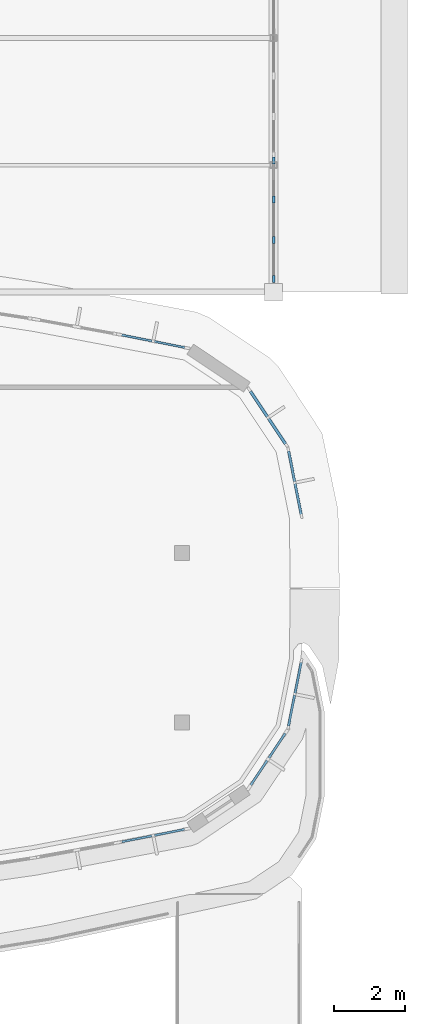
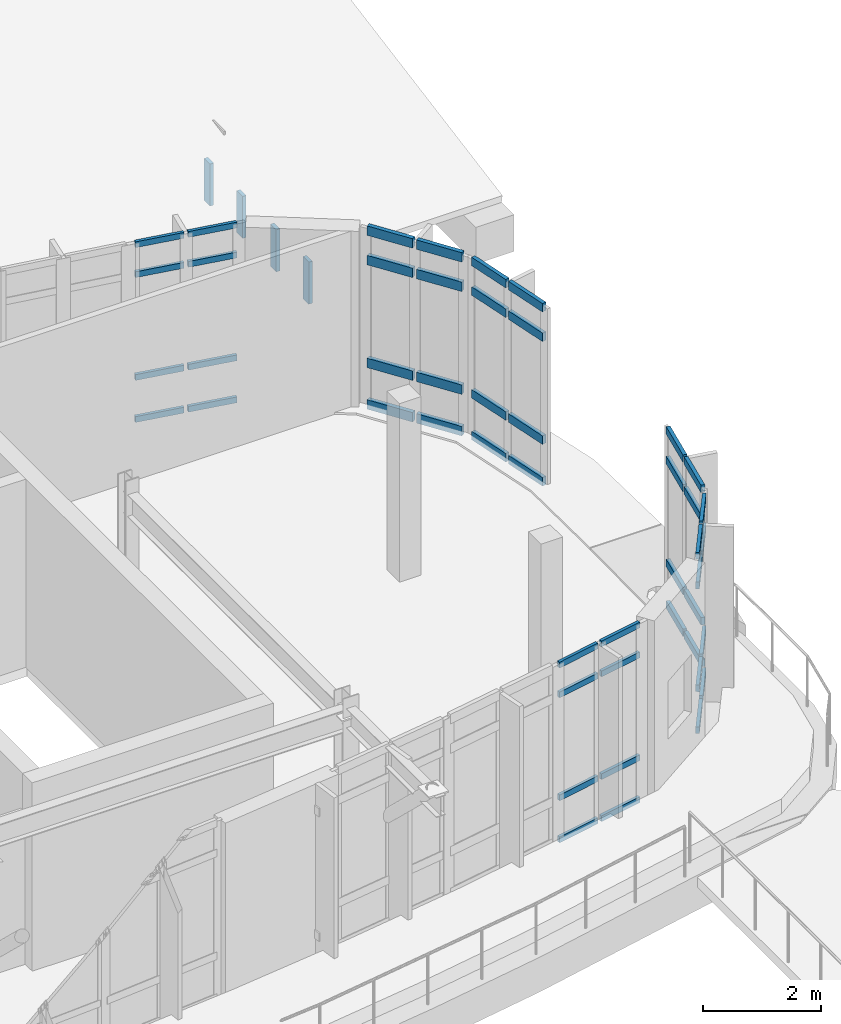
# One storey, part 56 of 105: 52 members, 7 elements without a shape of their own.
"""IFC4 building model written with IfcOpenShell, lengths in metres."""

from ifc_helpers import new_model, si_unit, direction, frame, origin, origin_2d, place, context, subcontext, project, spatial, rectangle, extrude, material, material_profile, profile_set, type_object, element, aggregate, save


model = new_model("IFC4")

# Units and contexts
model_context = context("Model", 3, precision=1e-05, world=origin(), true_north=direction((0.0, 1.0)))
body_context = subcontext(model_context, "Body", "Model", "MODEL_VIEW")
ifc_project = project(units=[si_unit("LENGTHUNIT", "METRE"), si_unit("AREAUNIT", "SQUARE_METRE"), si_unit("VOLUMEUNIT", "CUBIC_METRE"), si_unit("PLANEANGLEUNIT", "RADIAN"), si_unit("MASSUNIT", "GRAM", prefix="KILO")], contexts=[model_context])

# Site, building, storey
site_placement = place(None, origin())
site = spatial("IfcSite", under=ifc_project, at=site_placement, CompositionType="ELEMENT")
building_placement = place(site_placement, origin())
building = spatial("IfcBuilding", under=site, at=building_placement, Name="Corveleigh Park Community Centre", CompositionType="ELEMENT")
storey_placement = place(building_placement, frame((0.0, 0.0, 8.699951171875)))
storey = spatial("IfcBuildingStorey", under=building, at=storey_placement, Name="L02", CompositionType="ELEMENT", Elevation=8.699951171875)

# Curtain wall, members
ifc_material = material(Name="Anodised aluminium 6063-T6", Category="aluminium")
curtain_wall_type = type_object("IfcCurtainWallType", Name="CW-SYS-V2-HALL", PredefinedType="NOTDEFINED", material=ifc_material)
curtain_wall_1_placement = place(storey_placement, origin())
curtain_wall_1 = element("IfcCurtainWall", 1, at=curtain_wall_1_placement, inside=storey, type_object=curtain_wall_type, Name="Sports Hall E Gable Clerestory 1", PredefinedType="NOTDEFINED")
ifc_material_profile_1 = material_profile(ifc_material, rectangle(XDim=0.070068359375, YDim=0.199951171875, at=origin_2d()), Name="ALU-M70x200", Category="aluminium")
ifc_profile_set_1 = profile_set([ifc_material_profile_1], Name="Anodised aluminium 6063-T6")
member_type_1 = type_object("IfcMemberType", Name="CWM-70x200", PredefinedType="MULLION", material=ifc_profile_set_1)
member_1_placement = place(storey_placement, frame((54.39990234375, 96.52490234375, 0.0), z_axis=(0.0, 0.0, 1.0), x_axis=(1.0, 0.0, 0.0)))
member_1 = element("IfcMember", 2, at=member_1_placement, type_object=member_type_1, Name="CW04 mullion 1", PredefinedType="MULLION", context=body_context, shape_type="SweptSolid", body=[
    extrude(rectangle(XDim=0.070068359375, YDim=0.199951171875, at=origin_2d()), origin(), (0.0, 0.0, 1.0), 0.87109375),
])
member_2_placement = place(storey_placement, frame((54.39990234375, 95.419921875, 0.0), z_axis=(0.0, 0.0, 1.0), x_axis=(1.0, 0.0, 0.0)))
member_2 = element("IfcMember", 3, at=member_2_placement, type_object=member_type_1, Name="CW04 mullion 2", PredefinedType="MULLION", context=body_context, shape_type="SweptSolid", body=[
    extrude(rectangle(XDim=0.070068359375, YDim=0.199951171875, at=origin_2d()), origin(), (0.0, 0.0, 1.0), 0.87109375),
])
member_3_placement = place(storey_placement, frame((54.39990234375, 94.280029296875, 0.0), z_axis=(0.0, 0.0, 1.0), x_axis=(1.0, 0.0, 0.0)))
member_3 = element("IfcMember", 4, at=member_3_placement, type_object=member_type_1, Name="CW04 mullion 3", PredefinedType="MULLION", context=body_context, shape_type="SweptSolid", body=[
    extrude(rectangle(XDim=0.070068359375, YDim=0.199951171875, at=origin_2d()), origin(), (0.0, 0.0, 1.0), 0.87109375),
])
member_4_placement = place(storey_placement, frame((54.39990234375, 93.175048828125, 0.0), z_axis=(0.0, 0.0, 1.0), x_axis=(1.0, 0.0, 0.0)))
member_4 = element("IfcMember", 5, at=member_4_placement, type_object=member_type_1, Name="CW04 mullion 4", PredefinedType="MULLION", context=body_context, shape_type="SweptSolid", body=[
    extrude(rectangle(XDim=0.070068359375, YDim=0.199951171875, at=origin_2d()), origin(), (0.0, 0.0, 1.0), 0.87109375),
])
aggregate(curtain_wall_1, [member_1, member_2, member_3, member_4])

curtain_wall_2_placement = place(storey_placement, origin())
curtain_wall_2 = element("IfcCurtainWall", 6, at=curtain_wall_2_placement, inside=storey, type_object=curtain_wall_type, Name="V2 L02 Curtain Wall 311", PredefinedType="NOTDEFINED")
ifc_material_profile_2 = material_profile(ifc_material, rectangle(XDim=0.06005859375, YDim=0.1201171875, at=origin_2d()), Name="ALU-T60x120", Category="aluminium")
ifc_profile_set_2 = profile_set([ifc_material_profile_2], Name="Anodised aluminium 6063-T6")
member_type_2 = type_object("IfcMemberType", Name="CWT-60x120", PredefinedType="USERDEFINED", material=ifc_profile_set_2)
member_5_placement = place(storey_placement, frame((51.87744140625, 77.5703125, 0.030029296875), z_axis=(-0.980840429065, -0.194812865877, 0.0), x_axis=(0.194812865877, -0.980840429065, 0.0)))
member_5 = element("IfcMember", 7, at=member_5_placement, type_object=member_type_2, Name="CW04 transom 1.1", ObjectType="TRANSOM", PredefinedType="USERDEFINED", context=body_context, shape_type="SweptSolid", body=[
    extrude(rectangle(XDim=0.06005859375, YDim=0.1201171875, at=origin_2d()), origin(), (0.0, 0.0, 1.0), 0.86474609375),
])
member_6_placement = place(storey_placement, frame((51.87744140625, 77.5703125, 0.900146484375), z_axis=(-0.980840429065, -0.194812865877, 0.0), x_axis=(0.194812865877, -0.980840429065, 0.0)))
member_6 = element("IfcMember", 8, at=member_6_placement, type_object=member_type_2, Name="CW04 transom 1.2", ObjectType="TRANSOM", PredefinedType="USERDEFINED", context=body_context, shape_type="SweptSolid", body=[
    extrude(rectangle(XDim=0.06005859375, YDim=0.1201171875, at=origin_2d()), origin(), (0.0, 0.0, 1.0), 0.86474609375),
])
member_7_placement = place(storey_placement, frame((51.87744140625, 77.5703125, 3.030029296875), z_axis=(-0.980840429065, -0.194812865877, 0.0), x_axis=(0.194812865877, -0.980840429065, 0.0)))
member_7 = element("IfcMember", 9, at=member_7_placement, type_object=member_type_2, Name="CW04 transom 1.3", ObjectType="TRANSOM", PredefinedType="USERDEFINED", context=body_context, shape_type="SweptSolid", body=[
    extrude(rectangle(XDim=0.06005859375, YDim=0.1201171875, at=origin_2d()), origin(), (0.0, 0.0, 1.0), 0.86474609375),
])
member_8_placement = place(storey_placement, frame((51.87744140625, 77.5703125, 3.650146484375), z_axis=(-0.980840429065, -0.194812865877, 0.0), x_axis=(0.194812865877, -0.980840429065, 0.0)))
member_8 = element("IfcMember", 10, at=member_8_placement, type_object=member_type_2, Name="CW04 transom 1.4", ObjectType="TRANSOM", PredefinedType="USERDEFINED", context=body_context, shape_type="SweptSolid", body=[
    extrude(rectangle(XDim=0.06005859375, YDim=0.1201171875, at=origin_2d()), origin(), (0.0, 0.0, 1.0), 0.86474609375),
])
member_9_placement = place(storey_placement, frame((50.95068359375, 77.38623046875, 0.030029296875), z_axis=(-0.980786445287, -0.195084465657, 0.0), x_axis=(0.195084465657, -0.980786445287, 0.0)))
member_9 = element("IfcMember", 11, at=member_9_placement, type_object=member_type_2, Name="CW04 transom 2.1", ObjectType="TRANSOM", PredefinedType="USERDEFINED", context=body_context, shape_type="SweptSolid", body=[
    extrude(rectangle(XDim=0.06005859375, YDim=0.1201171875, at=origin_2d()), origin(), (0.0, 0.0, 1.0), 0.86474609375),
])
member_10_placement = place(storey_placement, frame((50.95068359375, 77.38623046875, 0.900146484375), z_axis=(-0.980786445287, -0.195084465657, 0.0), x_axis=(0.195084465657, -0.980786445287, 0.0)))
member_10 = element("IfcMember", 12, at=member_10_placement, type_object=member_type_2, Name="CW04 transom 2.2", ObjectType="TRANSOM", PredefinedType="USERDEFINED", context=body_context, shape_type="SweptSolid", body=[
    extrude(rectangle(XDim=0.06005859375, YDim=0.1201171875, at=origin_2d()), origin(), (0.0, 0.0, 1.0), 0.86474609375),
])
member_11_placement = place(storey_placement, frame((50.95068359375, 77.38623046875, 3.030029296875), z_axis=(-0.980786445287, -0.195084465657, 0.0), x_axis=(0.195084465657, -0.980786445287, 0.0)))
member_11 = element("IfcMember", 13, at=member_11_placement, type_object=member_type_2, Name="CW04 transom 2.3", ObjectType="TRANSOM", PredefinedType="USERDEFINED", context=body_context, shape_type="SweptSolid", body=[
    extrude(rectangle(XDim=0.06005859375, YDim=0.1201171875, at=origin_2d()), origin(), (0.0, 0.0, 1.0), 0.86474609375),
])
member_12_placement = place(storey_placement, frame((50.95068359375, 77.38623046875, 3.650146484375), z_axis=(-0.980786445287, -0.195084465657, 0.0), x_axis=(0.195084465657, -0.980786445287, 0.0)))
member_12 = element("IfcMember", 14, at=member_12_placement, type_object=member_type_2, Name="CW04 transom 2.4", ObjectType="TRANSOM", PredefinedType="USERDEFINED", context=body_context, shape_type="SweptSolid", body=[
    extrude(rectangle(XDim=0.06005859375, YDim=0.1201171875, at=origin_2d()), origin(), (0.0, 0.0, 1.0), 0.86474609375),
])
aggregate(curtain_wall_2, [member_5, member_6, member_7, member_8, member_9, member_10, member_11, member_12])

curtain_wall_3_placement = place(storey_placement, origin())
curtain_wall_3 = element("IfcCurtainWall", 15, at=curtain_wall_3_placement, inside=storey, type_object=curtain_wall_type, Name="V2 L02 Curtain Wall 316", PredefinedType="NOTDEFINED")
member_13_placement = place(storey_placement, frame((50.09765625, 91.58349609375, 0.030029296875), z_axis=(0.980784687802, -0.195093301198, 0.0), x_axis=(0.195093301198, 0.980784687802, 0.0)))
member_13 = element("IfcMember", 16, at=member_13_placement, type_object=member_type_2, Name="CW04 transom 1.1", ObjectType="TRANSOM", PredefinedType="USERDEFINED", context=body_context, shape_type="SweptSolid", body=[
    extrude(rectangle(XDim=0.06005859375, YDim=0.1201171875, at=origin_2d()), origin(), (0.0, 0.0, 1.0), 0.872314453125),
])
member_14_placement = place(storey_placement, frame((50.09765625, 91.58349609375, 0.900146484375), z_axis=(0.980784687802, -0.195093301198, 0.0), x_axis=(0.195093301198, 0.980784687802, 0.0)))
member_14 = element("IfcMember", 17, at=member_14_placement, type_object=member_type_2, Name="CW04 transom 1.2", ObjectType="TRANSOM", PredefinedType="USERDEFINED", context=body_context, shape_type="SweptSolid", body=[
    extrude(rectangle(XDim=0.06005859375, YDim=0.1201171875, at=origin_2d()), origin(), (0.0, 0.0, 1.0), 0.872314453125),
])
member_15_placement = place(storey_placement, frame((50.09765625, 91.58349609375, 3.030029296875), z_axis=(0.980784687802, -0.195093301198, 0.0), x_axis=(0.195093301198, 0.980784687802, 0.0)))
member_15 = element("IfcMember", 18, at=member_15_placement, type_object=member_type_2, Name="CW04 transom 1.3", ObjectType="TRANSOM", PredefinedType="USERDEFINED", context=body_context, shape_type="SweptSolid", body=[
    extrude(rectangle(XDim=0.06005859375, YDim=0.1201171875, at=origin_2d()), origin(), (0.0, 0.0, 1.0), 0.872314453125),
])
member_16_placement = place(storey_placement, frame((50.09765625, 91.58349609375, 3.650146484375), z_axis=(0.980784687802, -0.195093301198, 0.0), x_axis=(0.195093301198, 0.980784687802, 0.0)))
member_16 = element("IfcMember", 19, at=member_16_placement, type_object=member_type_2, Name="CW04 transom 1.4", ObjectType="TRANSOM", PredefinedType="USERDEFINED", context=body_context, shape_type="SweptSolid", body=[
    extrude(rectangle(XDim=0.06005859375, YDim=0.1201171875, at=origin_2d()), origin(), (0.0, 0.0, 1.0), 0.872314453125),
])
member_17_placement = place(storey_placement, frame((51.02685546875, 91.398681640625, 0.030029296875), z_axis=(0.980784687802, -0.195093301198, 0.0), x_axis=(0.195093301198, 0.980784687802, 0.0)))
member_17 = element("IfcMember", 20, at=member_17_placement, type_object=member_type_2, Name="CW04 transom 2.1", ObjectType="TRANSOM", PredefinedType="USERDEFINED", context=body_context, shape_type="SweptSolid", body=[
    extrude(rectangle(XDim=0.06005859375, YDim=0.1201171875, at=origin_2d()), origin(), (0.0, 0.0, 1.0), 0.872314453125),
])
member_18_placement = place(storey_placement, frame((51.02685546875, 91.398681640625, 0.900146484375), z_axis=(0.980784687802, -0.195093301198, 0.0), x_axis=(0.195093301198, 0.980784687802, 0.0)))
member_18 = element("IfcMember", 21, at=member_18_placement, type_object=member_type_2, Name="CW04 transom 2.2", ObjectType="TRANSOM", PredefinedType="USERDEFINED", context=body_context, shape_type="SweptSolid", body=[
    extrude(rectangle(XDim=0.06005859375, YDim=0.1201171875, at=origin_2d()), origin(), (0.0, 0.0, 1.0), 0.872314453125),
])
member_19_placement = place(storey_placement, frame((51.02685546875, 91.398681640625, 3.030029296875), z_axis=(0.980784687802, -0.195093301198, 0.0), x_axis=(0.195093301198, 0.980784687802, 0.0)))
member_19 = element("IfcMember", 22, at=member_19_placement, type_object=member_type_2, Name="CW04 transom 2.3", ObjectType="TRANSOM", PredefinedType="USERDEFINED", context=body_context, shape_type="SweptSolid", body=[
    extrude(rectangle(XDim=0.06005859375, YDim=0.1201171875, at=origin_2d()), origin(), (0.0, 0.0, 1.0), 0.872314453125),
])
member_20_placement = place(storey_placement, frame((51.02685546875, 91.398681640625, 3.650146484375), z_axis=(0.980784687802, -0.195093301198, 0.0), x_axis=(0.195093301198, 0.980784687802, 0.0)))
member_20 = element("IfcMember", 23, at=member_20_placement, type_object=member_type_2, Name="CW04 transom 2.4", ObjectType="TRANSOM", PredefinedType="USERDEFINED", context=body_context, shape_type="SweptSolid", body=[
    extrude(rectangle(XDim=0.06005859375, YDim=0.1201171875, at=origin_2d()), origin(), (0.0, 0.0, 1.0), 0.872314453125),
])
aggregate(curtain_wall_3, [member_13, member_14, member_15, member_16, member_17, member_18, member_19, member_20])

curtain_wall_4_placement = place(storey_placement, origin())
curtain_wall_4 = element("IfcCurtainWall", 24, at=curtain_wall_4_placement, inside=storey, type_object=curtain_wall_type, Name="V2 L02 Curtain Wall 312", PredefinedType="NOTDEFINED")
ifc_material_profile_3 = material_profile(ifc_material, rectangle(XDim=0.06494140625, YDim=0.139892578125, at=origin_2d()), Name="ALU-T65x140", Category="aluminium")
ifc_profile_set_3 = profile_set([ifc_material_profile_3], Name="Anodised aluminium 6063-T6")
member_type_3 = type_object("IfcMemberType", Name="CWT-65x140", PredefinedType="USERDEFINED", material=ifc_profile_set_3)
member_21_placement = place(storey_placement, frame((54.73291015625, 80.292236328125, 0.032470703125), z_axis=(-0.555102963555, -0.83178164193, 0.0), x_axis=(0.83178164193, -0.555102963555, 0.0)))
member_21 = element("IfcMember", 25, at=member_21_placement, type_object=member_type_3, Name="CW04 transom 1.1", ObjectType="TRANSOM", PredefinedType="USERDEFINED", context=body_context, shape_type="SweptSolid", body=[
    extrude(rectangle(XDim=0.06494140625, YDim=0.139892578125, at=origin_2d()), origin(), (0.0, 0.0, 1.0), 0.839111328125),
])
member_22_placement = place(storey_placement, frame((54.73291015625, 80.292236328125, 0.900146484375), z_axis=(-0.555102963555, -0.83178164193, 0.0), x_axis=(0.83178164193, -0.555102963555, 0.0)))
member_22 = element("IfcMember", 26, at=member_22_placement, type_object=member_type_3, Name="CW04 transom 1.2", ObjectType="TRANSOM", PredefinedType="USERDEFINED", context=body_context, shape_type="SweptSolid", body=[
    extrude(rectangle(XDim=0.06494140625, YDim=0.139892578125, at=origin_2d()), origin(), (0.0, 0.0, 1.0), 0.839111328125),
])
member_23_placement = place(storey_placement, frame((54.73291015625, 80.292236328125, 3.030029296875), z_axis=(-0.555102963555, -0.83178164193, 0.0), x_axis=(0.83178164193, -0.555102963555, 0.0)))
member_23 = element("IfcMember", 27, at=member_23_placement, type_object=member_type_3, Name="CW04 transom 1.3", ObjectType="TRANSOM", PredefinedType="USERDEFINED", context=body_context, shape_type="SweptSolid", body=[
    extrude(rectangle(XDim=0.06494140625, YDim=0.139892578125, at=origin_2d()), origin(), (0.0, 0.0, 1.0), 0.839111328125),
])
member_24_placement = place(storey_placement, frame((54.73291015625, 80.292236328125, 3.6474609375), z_axis=(-0.555102963555, -0.83178164193, 0.0), x_axis=(0.83178164193, -0.555102963555, 0.0)))
member_24 = element("IfcMember", 28, at=member_24_placement, type_object=member_type_3, Name="CW04 transom 1.4", ObjectType="TRANSOM", PredefinedType="USERDEFINED", context=body_context, shape_type="SweptSolid", body=[
    extrude(rectangle(XDim=0.06494140625, YDim=0.139892578125, at=origin_2d()), origin(), (0.0, 0.0, 1.0), 0.839111328125),
])
member_25_placement = place(storey_placement, frame((54.219970703125, 79.523681640625, 0.032470703125), z_axis=(-0.555102963555, -0.83178164193, 0.0), x_axis=(0.83178164193, -0.555102963555, 0.0)))
member_25 = element("IfcMember", 29, at=member_25_placement, type_object=member_type_3, Name="CW04 transom 2.1", ObjectType="TRANSOM", PredefinedType="USERDEFINED", context=body_context, shape_type="SweptSolid", body=[
    extrude(rectangle(XDim=0.06494140625, YDim=0.139892578125, at=origin_2d()), origin(), (0.0, 0.0, 1.0), 0.839111328125),
])
member_26_placement = place(storey_placement, frame((54.219970703125, 79.523681640625, 0.900146484375), z_axis=(-0.555102963555, -0.83178164193, 0.0), x_axis=(0.83178164193, -0.555102963555, 0.0)))
member_26 = element("IfcMember", 30, at=member_26_placement, type_object=member_type_3, Name="CW04 transom 2.2", ObjectType="TRANSOM", PredefinedType="USERDEFINED", context=body_context, shape_type="SweptSolid", body=[
    extrude(rectangle(XDim=0.06494140625, YDim=0.139892578125, at=origin_2d()), origin(), (0.0, 0.0, 1.0), 0.839111328125),
])
member_27_placement = place(storey_placement, frame((54.219970703125, 79.523681640625, 3.030029296875), z_axis=(-0.555102963555, -0.83178164193, 0.0), x_axis=(0.83178164193, -0.555102963555, 0.0)))
member_27 = element("IfcMember", 31, at=member_27_placement, type_object=member_type_3, Name="CW04 transom 2.3", ObjectType="TRANSOM", PredefinedType="USERDEFINED", context=body_context, shape_type="SweptSolid", body=[
    extrude(rectangle(XDim=0.06494140625, YDim=0.139892578125, at=origin_2d()), origin(), (0.0, 0.0, 1.0), 0.839111328125),
])
member_28_placement = place(storey_placement, frame((54.219970703125, 79.523681640625, 3.6474609375), z_axis=(-0.555102963555, -0.83178164193, 0.0), x_axis=(0.83178164193, -0.555102963555, 0.0)))
member_28 = element("IfcMember", 32, at=member_28_placement, type_object=member_type_3, Name="CW04 transom 2.4", ObjectType="TRANSOM", PredefinedType="USERDEFINED", context=body_context, shape_type="SweptSolid", body=[
    extrude(rectangle(XDim=0.06494140625, YDim=0.139892578125, at=origin_2d()), origin(), (0.0, 0.0, 1.0), 0.839111328125),
])
aggregate(curtain_wall_4, [member_21, member_22, member_23, member_24, member_25, member_26, member_27, member_28])

curtain_wall_5_placement = place(storey_placement, origin())
curtain_wall_5 = element("IfcCurtainWall", 33, at=curtain_wall_5_placement, inside=storey, type_object=curtain_wall_type, Name="V2 L02 Curtain Wall 313", PredefinedType="NOTDEFINED")
ifc_material_profile_4 = material_profile(ifc_material, rectangle(XDim=0.070068359375, YDim=0.155029296875, at=origin_2d()), Name="ALU-T70x155", Category="aluminium")
ifc_profile_set_4 = profile_set([ifc_material_profile_4], Name="Anodised aluminium 6063-T6")
member_type_4 = type_object("IfcMemberType", Name="CWT-70x155", PredefinedType="USERDEFINED", material=ifc_profile_set_4)
member_29_placement = place(storey_placement, frame((55.183349609375, 82.30126953125, 0.03515625), z_axis=(-0.195163200624, -0.980770781132, 0.0), x_axis=(0.980770781132, -0.195163200624, 0.0)))
member_29 = element("IfcMember", 34, at=member_29_placement, type_object=member_type_4, Name="CW04 transom 1.1", ObjectType="TRANSOM", PredefinedType="USERDEFINED", context=body_context, shape_type="SweptSolid", body=[
    extrude(rectangle(XDim=0.070068359375, YDim=0.155029296875, at=origin_2d()), origin(), (0.0, 0.0, 1.0), 0.886962890625),
])
member_30_placement = place(storey_placement, frame((55.183349609375, 82.30126953125, 0.900146484375), z_axis=(-0.195163200624, -0.980770781132, 0.0), x_axis=(0.980770781132, -0.195163200624, 0.0)))
member_30 = element("IfcMember", 35, at=member_30_placement, type_object=member_type_4, Name="CW04 transom 1.2", ObjectType="TRANSOM", PredefinedType="USERDEFINED", context=body_context, shape_type="SweptSolid", body=[
    extrude(rectangle(XDim=0.070068359375, YDim=0.155029296875, at=origin_2d()), origin(), (0.0, 0.0, 1.0), 0.886962890625),
])
member_31_placement = place(storey_placement, frame((55.183349609375, 82.30126953125, 3.030029296875), z_axis=(-0.195163200624, -0.980770781132, 0.0), x_axis=(0.980770781132, -0.195163200624, 0.0)))
member_31 = element("IfcMember", 36, at=member_31_placement, type_object=member_type_4, Name="CW04 transom 1.3", ObjectType="TRANSOM", PredefinedType="USERDEFINED", context=body_context, shape_type="SweptSolid", body=[
    extrude(rectangle(XDim=0.070068359375, YDim=0.155029296875, at=origin_2d()), origin(), (0.0, 0.0, 1.0), 0.886962890625),
])
member_32_placement = place(storey_placement, frame((55.183349609375, 82.30126953125, 3.64501953125), z_axis=(-0.195163200624, -0.980770781132, 0.0), x_axis=(0.980770781132, -0.195163200624, 0.0)))
member_32 = element("IfcMember", 37, at=member_32_placement, type_object=member_type_4, Name="CW04 transom 1.4", ObjectType="TRANSOM", PredefinedType="USERDEFINED", context=body_context, shape_type="SweptSolid", body=[
    extrude(rectangle(XDim=0.070068359375, YDim=0.155029296875, at=origin_2d()), origin(), (0.0, 0.0, 1.0), 0.886962890625),
])
member_33_placement = place(storey_placement, frame((54.99853515625, 81.37255859375, 0.03515625), z_axis=(-0.194951035097, -0.980812976012, 0.0), x_axis=(0.980812976012, -0.194951035097, 0.0)))
member_33 = element("IfcMember", 38, at=member_33_placement, type_object=member_type_4, Name="CW04 transom 2.1", ObjectType="TRANSOM", PredefinedType="USERDEFINED", context=body_context, shape_type="SweptSolid", body=[
    extrude(rectangle(XDim=0.070068359375, YDim=0.155029296875, at=origin_2d()), origin(), (0.0, 0.0, 1.0), 0.88671875),
])
member_34_placement = place(storey_placement, frame((54.99853515625, 81.37255859375, 0.900146484375), z_axis=(-0.194951035097, -0.980812976012, 0.0), x_axis=(0.980812976012, -0.194951035097, 0.0)))
member_34 = element("IfcMember", 39, at=member_34_placement, type_object=member_type_4, Name="CW04 transom 2.2", ObjectType="TRANSOM", PredefinedType="USERDEFINED", context=body_context, shape_type="SweptSolid", body=[
    extrude(rectangle(XDim=0.070068359375, YDim=0.155029296875, at=origin_2d()), origin(), (0.0, 0.0, 1.0), 0.88671875),
])
member_35_placement = place(storey_placement, frame((54.99853515625, 81.37255859375, 3.030029296875), z_axis=(-0.194951035097, -0.980812976012, 0.0), x_axis=(0.980812976012, -0.194951035097, 0.0)))
member_35 = element("IfcMember", 40, at=member_35_placement, type_object=member_type_4, Name="CW04 transom 2.3", ObjectType="TRANSOM", PredefinedType="USERDEFINED", context=body_context, shape_type="SweptSolid", body=[
    extrude(rectangle(XDim=0.070068359375, YDim=0.155029296875, at=origin_2d()), origin(), (0.0, 0.0, 1.0), 0.88671875),
])
member_36_placement = place(storey_placement, frame((54.99853515625, 81.37255859375, 3.64501953125), z_axis=(-0.194951035097, -0.980812976012, 0.0), x_axis=(0.980812976012, -0.194951035097, 0.0)))
member_36 = element("IfcMember", 41, at=member_36_placement, type_object=member_type_4, Name="CW04 transom 2.4", ObjectType="TRANSOM", PredefinedType="USERDEFINED", context=body_context, shape_type="SweptSolid", body=[
    extrude(rectangle(XDim=0.070068359375, YDim=0.155029296875, at=origin_2d()), origin(), (0.0, 0.0, 1.0), 0.88671875),
])
aggregate(curtain_wall_5, [member_29, member_30, member_31, member_32, member_33, member_34, member_35, member_36])

curtain_wall_6_placement = place(storey_placement, origin())
curtain_wall_6 = element("IfcCurtainWall", 42, at=curtain_wall_6_placement, inside=storey, type_object=curtain_wall_type, Name="V2 L02 Curtain Wall 314", PredefinedType="NOTDEFINED")
ifc_material_profile_5 = material_profile(ifc_material, rectangle(XDim=0.074951171875, YDim=0.175048828125, at=origin_2d()), Name="ALU-T75x175", Category="aluminium")
ifc_profile_set_5 = profile_set([ifc_material_profile_5], Name="Anodised aluminium 6063-T6")
member_type_5 = type_object("IfcMemberType", Name="CWT-75x175", PredefinedType="USERDEFINED", material=ifc_profile_set_5)
member_37_placement = place(storey_placement, frame((54.82666015625, 88.292236328125, 0.03759765625), z_axis=(0.194941135461, -0.980814943659, 0.0), x_axis=(0.980814943659, 0.194941135461, 0.0)))
member_37 = element("IfcMember", 43, at=member_37_placement, type_object=member_type_5, Name="CW04 transom 1.1", ObjectType="TRANSOM", PredefinedType="USERDEFINED", context=body_context, shape_type="SweptSolid", body=[
    extrude(rectangle(XDim=0.074951171875, YDim=0.175048828125, at=origin_2d()), origin(), (0.0, 0.0, 1.0), 0.879150390625),
])
member_38_placement = place(storey_placement, frame((54.82666015625, 88.292236328125, 0.900146484375), z_axis=(0.194941135461, -0.980814943659, 0.0), x_axis=(0.980814943659, 0.194941135461, 0.0)))
member_38 = element("IfcMember", 44, at=member_38_placement, type_object=member_type_5, Name="CW04 transom 1.2", ObjectType="TRANSOM", PredefinedType="USERDEFINED", context=body_context, shape_type="SweptSolid", body=[
    extrude(rectangle(XDim=0.074951171875, YDim=0.175048828125, at=origin_2d()), origin(), (0.0, 0.0, 1.0), 0.879150390625),
])
member_39_placement = place(storey_placement, frame((54.82666015625, 88.292236328125, 3.030029296875), z_axis=(0.194941135461, -0.980814943659, 0.0), x_axis=(0.980814943659, 0.194941135461, 0.0)))
member_39 = element("IfcMember", 45, at=member_39_placement, type_object=member_type_5, Name="CW04 transom 1.3", ObjectType="TRANSOM", PredefinedType="USERDEFINED", context=body_context, shape_type="SweptSolid", body=[
    extrude(rectangle(XDim=0.074951171875, YDim=0.175048828125, at=origin_2d()), origin(), (0.0, 0.0, 1.0), 0.879150390625),
])
member_40_placement = place(storey_placement, frame((54.82666015625, 88.292236328125, 3.642578125), z_axis=(0.194941135461, -0.980814943659, 0.0), x_axis=(0.980814943659, 0.194941135461, 0.0)))
member_40 = element("IfcMember", 46, at=member_40_placement, type_object=member_type_5, Name="CW04 transom 1.4", ObjectType="TRANSOM", PredefinedType="USERDEFINED", context=body_context, shape_type="SweptSolid", body=[
    extrude(rectangle(XDim=0.074951171875, YDim=0.175048828125, at=origin_2d()), origin(), (0.0, 0.0, 1.0), 0.879150390625),
])
member_41_placement = place(storey_placement, frame((55.0107421875, 87.3662109375, 0.03759765625), z_axis=(0.195155106536, -0.980772391737, 0.0), x_axis=(0.980772391737, 0.195155106536, 0.0)))
member_41 = element("IfcMember", 47, at=member_41_placement, type_object=member_type_5, Name="CW04 transom 2.1", ObjectType="TRANSOM", PredefinedType="USERDEFINED", context=body_context, shape_type="SweptSolid", body=[
    extrude(rectangle(XDim=0.074951171875, YDim=0.175048828125, at=origin_2d()), origin(), (0.0, 0.0, 1.0), 0.87939453125),
])
member_42_placement = place(storey_placement, frame((55.0107421875, 87.3662109375, 0.900146484375), z_axis=(0.195155106536, -0.980772391737, 0.0), x_axis=(0.980772391737, 0.195155106536, 0.0)))
member_42 = element("IfcMember", 48, at=member_42_placement, type_object=member_type_5, Name="CW04 transom 2.2", ObjectType="TRANSOM", PredefinedType="USERDEFINED", context=body_context, shape_type="SweptSolid", body=[
    extrude(rectangle(XDim=0.074951171875, YDim=0.175048828125, at=origin_2d()), origin(), (0.0, 0.0, 1.0), 0.87939453125),
])
member_43_placement = place(storey_placement, frame((55.0107421875, 87.3662109375, 3.030029296875), z_axis=(0.195155106536, -0.980772391737, 0.0), x_axis=(0.980772391737, 0.195155106536, 0.0)))
member_43 = element("IfcMember", 49, at=member_43_placement, type_object=member_type_5, Name="CW04 transom 2.3", ObjectType="TRANSOM", PredefinedType="USERDEFINED", context=body_context, shape_type="SweptSolid", body=[
    extrude(rectangle(XDim=0.074951171875, YDim=0.175048828125, at=origin_2d()), origin(), (0.0, 0.0, 1.0), 0.87939453125),
])
member_44_placement = place(storey_placement, frame((55.0107421875, 87.3662109375, 3.642578125), z_axis=(0.195155106536, -0.980772391737, 0.0), x_axis=(0.980772391737, 0.195155106536, 0.0)))
member_44 = element("IfcMember", 50, at=member_44_placement, type_object=member_type_5, Name="CW04 transom 2.4", ObjectType="TRANSOM", PredefinedType="USERDEFINED", context=body_context, shape_type="SweptSolid", body=[
    extrude(rectangle(XDim=0.074951171875, YDim=0.175048828125, at=origin_2d()), origin(), (0.0, 0.0, 1.0), 0.87939453125),
])
aggregate(curtain_wall_6, [member_37, member_38, member_39, member_40, member_41, member_42, member_43, member_44])

curtain_wall_7_placement = place(storey_placement, origin())
curtain_wall_7 = element("IfcCurtainWall", 51, at=curtain_wall_7_placement, inside=storey, type_object=curtain_wall_type, Name="V2 L02 Curtain Wall 315", PredefinedType="NOTDEFINED")
ifc_material_profile_6 = material_profile(ifc_material, rectangle(XDim=0.080078125, YDim=0.195068359375, at=origin_2d()), Name="ALU-T80x195", Category="aluminium")
ifc_profile_set_6 = profile_set([ifc_material_profile_6], Name="Anodised aluminium 6063-T6")
member_type_6 = type_object("IfcMemberType", Name="CWT-80x195", PredefinedType="USERDEFINED", material=ifc_profile_set_6)
member_45_placement = place(storey_placement, frame((53.745849609375, 89.98681640625, 0.0400390625), z_axis=(0.555027062978, -0.831832290406, 0.0), x_axis=(0.831832290406, 0.555027062978, 0.0)))
member_45 = element("IfcMember", 52, at=member_45_placement, type_object=member_type_6, Name="CW04 transom 1.1", ObjectType="TRANSOM", PredefinedType="USERDEFINED", context=body_context, shape_type="SweptSolid", body=[
    extrude(rectangle(XDim=0.080078125, YDim=0.195068359375, at=origin_2d()), origin(), (0.0, 0.0, 1.0), 0.86181640625),
])
member_46_placement = place(storey_placement, frame((53.745849609375, 89.98681640625, 0.900146484375), z_axis=(0.555027062978, -0.831832290406, 0.0), x_axis=(0.831832290406, 0.555027062978, 0.0)))
member_46 = element("IfcMember", 53, at=member_46_placement, type_object=member_type_6, Name="CW04 transom 1.2", ObjectType="TRANSOM", PredefinedType="USERDEFINED", context=body_context, shape_type="SweptSolid", body=[
    extrude(rectangle(XDim=0.080078125, YDim=0.195068359375, at=origin_2d()), origin(), (0.0, 0.0, 1.0), 0.86181640625),
])
member_47_placement = place(storey_placement, frame((53.745849609375, 89.98681640625, 3.030029296875), z_axis=(0.555027062978, -0.831832290406, 0.0), x_axis=(0.831832290406, 0.555027062978, 0.0)))
member_47 = element("IfcMember", 54, at=member_47_placement, type_object=member_type_6, Name="CW04 transom 1.3", ObjectType="TRANSOM", PredefinedType="USERDEFINED", context=body_context, shape_type="SweptSolid", body=[
    extrude(rectangle(XDim=0.080078125, YDim=0.195068359375, at=origin_2d()), origin(), (0.0, 0.0, 1.0), 0.86181640625),
])
member_48_placement = place(storey_placement, frame((53.745849609375, 89.98681640625, 3.64013671875), z_axis=(0.555027062978, -0.831832290406, 0.0), x_axis=(0.831832290406, 0.555027062978, 0.0)))
member_48 = element("IfcMember", 55, at=member_48_placement, type_object=member_type_6, Name="CW04 transom 1.4", ObjectType="TRANSOM", PredefinedType="USERDEFINED", context=body_context, shape_type="SweptSolid", body=[
    extrude(rectangle(XDim=0.080078125, YDim=0.195068359375, at=origin_2d()), origin(), (0.0, 0.0, 1.0), 0.86181640625),
])
member_49_placement = place(storey_placement, frame((54.262939453125, 89.2119140625, 0.0400390625), z_axis=(0.555027062978, -0.831832290406, 0.0), x_axis=(0.831832290406, 0.555027062978, 0.0)))
member_49 = element("IfcMember", 56, at=member_49_placement, type_object=member_type_6, Name="CW04 transom 2.1", ObjectType="TRANSOM", PredefinedType="USERDEFINED", context=body_context, shape_type="SweptSolid", body=[
    extrude(rectangle(XDim=0.080078125, YDim=0.195068359375, at=origin_2d()), origin(), (0.0, 0.0, 1.0), 0.86181640625),
])
member_50_placement = place(storey_placement, frame((54.262939453125, 89.2119140625, 0.900146484375), z_axis=(0.555027062978, -0.831832290406, 0.0), x_axis=(0.831832290406, 0.555027062978, 0.0)))
member_50 = element("IfcMember", 57, at=member_50_placement, type_object=member_type_6, Name="CW04 transom 2.2", ObjectType="TRANSOM", PredefinedType="USERDEFINED", context=body_context, shape_type="SweptSolid", body=[
    extrude(rectangle(XDim=0.080078125, YDim=0.195068359375, at=origin_2d()), origin(), (0.0, 0.0, 1.0), 0.86181640625),
])
member_51_placement = place(storey_placement, frame((54.262939453125, 89.2119140625, 3.030029296875), z_axis=(0.555027062978, -0.831832290406, 0.0), x_axis=(0.831832290406, 0.555027062978, 0.0)))
member_51 = element("IfcMember", 58, at=member_51_placement, type_object=member_type_6, Name="CW04 transom 2.3", ObjectType="TRANSOM", PredefinedType="USERDEFINED", context=body_context, shape_type="SweptSolid", body=[
    extrude(rectangle(XDim=0.080078125, YDim=0.195068359375, at=origin_2d()), origin(), (0.0, 0.0, 1.0), 0.86181640625),
])
member_52_placement = place(storey_placement, frame((54.262939453125, 89.2119140625, 3.64013671875), z_axis=(0.555027062978, -0.831832290406, 0.0), x_axis=(0.831832290406, 0.555027062978, 0.0)))
member_52 = element("IfcMember", 59, at=member_52_placement, type_object=member_type_6, Name="CW04 transom 2.4", ObjectType="TRANSOM", PredefinedType="USERDEFINED", context=body_context, shape_type="SweptSolid", body=[
    extrude(rectangle(XDim=0.080078125, YDim=0.195068359375, at=origin_2d()), origin(), (0.0, 0.0, 1.0), 0.86181640625),
])
aggregate(curtain_wall_7, [member_45, member_46, member_47, member_48, member_49, member_50, member_51, member_52])

save(model, "model.ifc")
